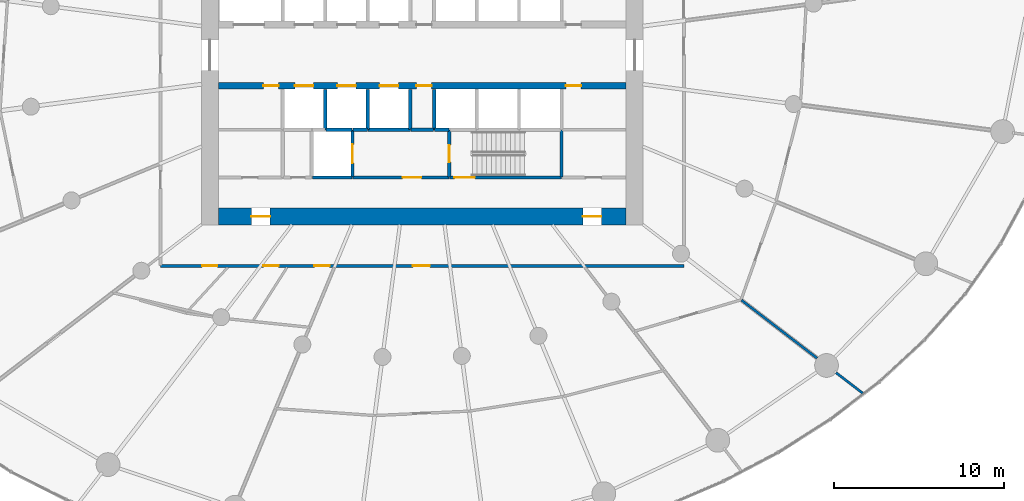
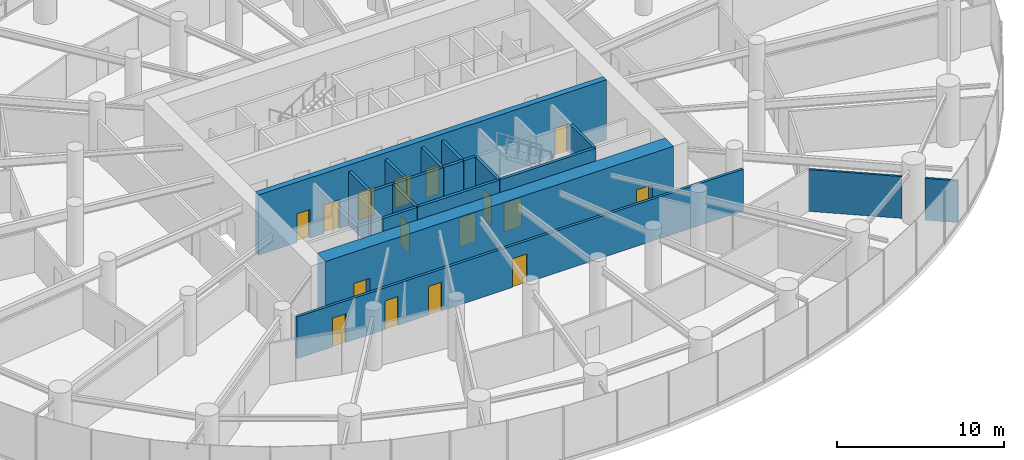
# One storey, part 13 of 19: 20 walls, 16 doors, 16 openings.
"""IFC4 building model written with IfcOpenShell, lengths in metres."""

from ifc_helpers import new_model, si_unit, direction, frame, frame_2d, origin, place, context, subcontext, project, spatial, rectangle, extrude, source, transform, mapped, material, layer, layer_set, type_object, element, fill, save


model = new_model("IFC4")

# Units and contexts
model_context = context("Model", 3, precision=1e-05, world=origin(), true_north=direction((0.0, 1.0)))
body_context = subcontext(model_context, "Body", "Model", "MODEL_VIEW")
ifc_project = project(units=[si_unit("LENGTHUNIT", "METRE"), si_unit("AREAUNIT", "SQUARE_METRE"), si_unit("VOLUMEUNIT", "CUBIC_METRE"), si_unit("PLANEANGLEUNIT", "RADIAN"), si_unit("MASSUNIT", "GRAM", prefix="KILO")], contexts=[model_context])

# Site, building, storey
site_placement = place(None, origin())
site = spatial("IfcSite", under=ifc_project, at=site_placement, CompositionType="ELEMENT")
building_placement = place(site_placement, origin())
building = spatial("IfcBuilding", under=site, at=building_placement, Name="Spindrift Exchange Tower", CompositionType="ELEMENT")
storey_placement = place(building_placement, frame((0.0, 0.0, 53.39990234375)))
storey = spatial("IfcBuildingStorey", under=building, at=storey_placement, Name="L12", CompositionType="ELEMENT", Elevation=53.39990234375)

# Wall, openings, doors
ifc_material_1 = material(Name="Concrete 80 MPa", Category="concrete")
ifc_layer_1 = layer(ifc_material_1, 1.0)
ifc_layer_set_1 = layer_set([ifc_layer_1], Name="RC Core Wall 1000 Concrete 80 MPa")
wall_type_1 = type_object("IfcWallType", Name="RC Core Wall 1000 Concrete 80 MPa", PredefinedType="SHEAR", material=ifc_layer_set_1)
wall_1_placement = place(storey_placement, frame((40.0, 38.5, 0.0), z_axis=(0.0, 0.0, 1.0), x_axis=(1.0, 0.0, 0.0)))
wall_1 = element("IfcWall", 1, at=wall_1_placement, inside=storey, type_object=wall_type_1, Name="Core wall S L12", PredefinedType="SHEAR", context=body_context, shape_type="SweptSolid", body=[
    extrude(rectangle(XDim=24.0, YDim=1.0, at=frame_2d((12.0, 0.0))), origin(), (0.0, 0.0, 1.0), 4.400146484375),
])
opening_1_placement = place(wall_1_placement, frame((21.449951171875, 0.0, 0.0)))
opening_1 = element("IfcOpeningElement", 2, at=opening_1_placement, cuts=wall_1, Name="Opening L12-D22", PredefinedType="OPENING", context=body_context, shape_type="SweptSolid", body=[
    extrude(rectangle(XDim=1.10009765625, YDim=2.10009765625, at=frame_2d((0.550048828125, 1.050048828125))), frame((0.0, 0.510009765625, 0.0), z_axis=(0.0, -1.0, 0.0), x_axis=(1.0, 0.0, 0.0)), (0.0, 0.0, 1.0), 1.02001953125),
])
opening_2_placement = place(wall_1_placement, frame((1.949951171875, 0.0, 0.0)))
opening_2 = element("IfcOpeningElement", 3, at=opening_2_placement, cuts=wall_1, Name="Opening L12-D23", PredefinedType="OPENING", context=body_context, shape_type="SweptSolid", body=[
    extrude(rectangle(XDim=1.10009765625, YDim=2.10009765625, at=frame_2d((0.550048828125, 1.050048828125))), frame((0.0, 0.510009765625, 0.0), z_axis=(0.0, -1.0, 0.0), x_axis=(1.0, 0.0, 0.0)), (0.0, 0.0, 1.0), 1.02001953125),
])
ifc_material_2 = material(Name="Steel fire door", Category="steel")
door_type_1 = type_object("IfcDoorType", Name="DR-STAIR-1100", OperationType="NOTDEFINED", PredefinedType="DOOR", material=ifc_material_2)
shared_shape_1 = source(origin(), body_context, "Body", "SweptSolid", [
    extrude(rectangle(XDim=1.10009765625, YDim=2.10009765625, at=frame_2d((0.550048828125, 1.050048828125))), frame((0.0, 0.02490234375, 0.0), z_axis=(0.0, -1.0, 0.0), x_axis=(1.0, 0.0, 0.0)), (0.0, 0.0, 1.0), 0.050048828125),
])
door_1_placement = place(opening_1_placement, origin())
door_1 = element("IfcDoor", 4, at=door_1_placement, inside=storey, type_object=door_type_1, Name="L12 Stair door 22", OperationType="SINGLE_SWING_LEFT", OverallHeight=2.10009765625, OverallWidth=1.10009765625, PredefinedType="DOOR", context=body_context, shape_type="MappedRepresentation", body=[
    mapped(shared_shape_1, transform((0.0, 0.0, 0.0), scale=1.0)),
])
fill(opening_1, door_1)
door_2_placement = place(opening_2_placement, origin())
door_2 = element("IfcDoor", 5, at=door_2_placement, inside=storey, type_object=door_type_1, Name="L12 Stair door 23", OperationType="SINGLE_SWING_RIGHT", OverallHeight=2.10009765625, OverallWidth=1.10009765625, PredefinedType="DOOR", context=body_context, shape_type="MappedRepresentation", body=[
    mapped(shared_shape_1, transform((0.0, 0.0, 0.0), scale=1.0)),
])
fill(opening_2, door_2)

ifc_layer_2 = layer(ifc_material_1, 0.39990234375)
ifc_layer_set_2 = layer_set([ifc_layer_2], Name="RC Spine Wall 400 Concrete 80 MPa")
wall_type_2 = type_object("IfcWallType", Name="RC Spine Wall 400 Concrete 80 MPa", PredefinedType="SHEAR", material=ifc_layer_set_2)
wall_2_placement = place(storey_placement, frame((40.0, 46.199951171875, 0.0), z_axis=(0.0, 0.0, 1.0), x_axis=(1.0, 0.0, 0.0)))
wall_2 = element("IfcWall", 6, at=wall_2_placement, inside=storey, type_object=wall_type_2, Name="Core spine wall S L12", PredefinedType="SHEAR", context=body_context, shape_type="SweptSolid", body=[
    extrude(rectangle(XDim=24.0, YDim=0.39990234375, at=frame_2d((12.0, 0.0))), origin(), (0.0, 0.0, 1.0), 4.400146484375),
])
opening_3_placement = place(wall_2_placement, frame((4.5, 0.0, 0.0)))
opening_3 = element("IfcOpeningElement", 7, at=opening_3_placement, cuts=wall_2, Name="Opening L12-D6", PredefinedType="OPENING", context=body_context, shape_type="SweptSolid", body=[
    extrude(rectangle(XDim=1.10009765625, YDim=2.10009765625, at=frame_2d((0.550048828125, 1.050048828125))), frame((0.0, 0.2099609375, 0.0), z_axis=(0.0, -1.0, 0.0), x_axis=(1.0, 0.0, 0.0)), (0.0, 0.0, 1.0), 0.419921875),
])
opening_4_placement = place(wall_2_placement, frame((7.0, 0.0, 0.0)))
opening_4 = element("IfcOpeningElement", 8, at=opening_4_placement, cuts=wall_2, Name="Opening L12-D7", PredefinedType="OPENING", context=body_context, shape_type="SweptSolid", body=[
    extrude(rectangle(XDim=1.10009765625, YDim=2.10009765625, at=frame_2d((0.550048828125, 1.050048828125))), frame((0.0, 0.2099609375, 0.0), z_axis=(0.0, -1.0, 0.0), x_axis=(1.0, 0.0, 0.0)), (0.0, 0.0, 1.0), 0.419921875),
])
opening_5_placement = place(wall_2_placement, frame((9.5, 0.0, 0.0)))
opening_5 = element("IfcOpeningElement", 9, at=opening_5_placement, cuts=wall_2, Name="Opening L12-D8", PredefinedType="OPENING", context=body_context, shape_type="SweptSolid", body=[
    extrude(rectangle(XDim=1.10009765625, YDim=2.10009765625, at=frame_2d((0.550048828125, 1.050048828125))), frame((0.0, 0.2099609375, 0.0), z_axis=(0.0, -1.0, 0.0), x_axis=(1.0, 0.0, 0.0)), (0.0, 0.0, 1.0), 0.419921875),
])
opening_6_placement = place(wall_2_placement, frame((20.449951171875, 0.0, 0.0)))
opening_6 = element("IfcOpeningElement", 10, at=opening_6_placement, cuts=wall_2, Name="Opening L12-D49", PredefinedType="OPENING", context=body_context, shape_type="SweptSolid", body=[
    extrude(rectangle(XDim=0.89990234375, YDim=2.10009765625, at=frame_2d((0.449951171875, 1.050048828125))), frame((0.0, 0.2099609375, 0.0), z_axis=(0.0, -1.0, 0.0), x_axis=(1.0, 0.0, 0.0)), (0.0, 0.0, 1.0), 0.419921875),
])
opening_7_placement = place(wall_2_placement, frame((2.64990234375, 0.0, 0.0)))
opening_7 = element("IfcOpeningElement", 11, at=opening_7_placement, cuts=wall_2, Name="Opening L12-D54", PredefinedType="OPENING", context=body_context, shape_type="SweptSolid", body=[
    extrude(rectangle(XDim=0.89990234375, YDim=2.10009765625, at=frame_2d((0.449951171875, 1.050048828125))), frame((0.0, 0.2099609375, 0.0), z_axis=(0.0, -1.0, 0.0), x_axis=(1.0, 0.0, 0.0)), (0.0, 0.0, 1.0), 0.419921875),
])
opening_8_placement = place(wall_2_placement, frame((11.64990234375, 0.0, 0.0)))
opening_8 = element("IfcOpeningElement", 12, at=opening_8_placement, cuts=wall_2, Name="Opening L12-D56", PredefinedType="OPENING", context=body_context, shape_type="SweptSolid", body=[
    extrude(rectangle(XDim=0.89990234375, YDim=2.10009765625, at=frame_2d((0.449951171875, 1.050048828125))), frame((0.0, 0.2099609375, 0.0), z_axis=(0.0, -1.0, 0.0), x_axis=(1.0, 0.0, 0.0)), (0.0, 0.0, 1.0), 0.419921875),
])
ifc_material_3 = material(Name="Stainless steel landing door", Category="steel")
door_type_2 = type_object("IfcDoorType", Name="DR-LANDING-1100-SL", OperationType="DOUBLE_DOOR_SLIDING", PredefinedType="USERDEFINED", material=ifc_material_3)
shared_shape_2 = source(origin(), body_context, "Body", "SweptSolid", [
    extrude(rectangle(XDim=1.10009765625, YDim=2.10009765625, at=frame_2d((0.550048828125, 1.050048828125))), frame((0.0, 0.02490234375, 0.0), z_axis=(0.0, -1.0, 0.0), x_axis=(1.0, 0.0, 0.0)), (0.0, 0.0, 1.0), 0.050048828125),
])
door_3_placement = place(opening_3_placement, origin())
door_3 = element("IfcDoor", 13, at=door_3_placement, inside=storey, type_object=door_type_2, Name="L12 Lift landing door 6", ObjectType="LANDING DOOR", OperationType="DOUBLE_DOOR_SLIDING", OverallHeight=2.10009765625, OverallWidth=1.10009765625, PredefinedType="USERDEFINED", context=body_context, shape_type="MappedRepresentation", body=[
    mapped(shared_shape_2, transform((0.0, 0.0, 0.0), scale=1.0)),
])
fill(opening_3, door_3)
door_4_placement = place(opening_4_placement, origin())
door_4 = element("IfcDoor", 14, at=door_4_placement, inside=storey, type_object=door_type_2, Name="L12 Lift landing door 7", ObjectType="LANDING DOOR", OperationType="DOUBLE_DOOR_SLIDING", OverallHeight=2.10009765625, OverallWidth=1.10009765625, PredefinedType="USERDEFINED", context=body_context, shape_type="MappedRepresentation", body=[
    mapped(shared_shape_2, transform((0.0, 0.0, 0.0), scale=1.0)),
])
fill(opening_4, door_4)
door_5_placement = place(opening_5_placement, origin())
door_5 = element("IfcDoor", 15, at=door_5_placement, inside=storey, type_object=door_type_2, Name="L12 Lift landing door 8", ObjectType="LANDING DOOR", OperationType="DOUBLE_DOOR_SLIDING", OverallHeight=2.10009765625, OverallWidth=1.10009765625, PredefinedType="USERDEFINED", context=body_context, shape_type="MappedRepresentation", body=[
    mapped(shared_shape_2, transform((0.0, 0.0, 0.0), scale=1.0)),
])
fill(opening_5, door_5)
ifc_material_4 = material(Name="Steel access door", Category="steel")
door_type_3 = type_object("IfcDoorType", Name="DR-RISER-900", OperationType="NOTDEFINED", PredefinedType="DOOR", material=ifc_material_4)
shared_shape_3 = source(origin(), body_context, "Body", "SweptSolid", [
    extrude(rectangle(XDim=0.89990234375, YDim=2.10009765625, at=frame_2d((0.449951171875, 1.050048828125))), frame((0.0, 0.02490234375, 0.0), z_axis=(0.0, -1.0, 0.0), x_axis=(1.0, 0.0, 0.0)), (0.0, 0.0, 1.0), 0.050048828125),
])
door_6_placement = place(opening_6_placement, origin())
door_6 = element("IfcDoor", 16, at=door_6_placement, inside=storey, type_object=door_type_3, Name="L12 Riser door 49", OperationType="SINGLE_SWING_RIGHT", OverallHeight=2.10009765625, OverallWidth=0.89990234375, PredefinedType="DOOR", context=body_context, shape_type="MappedRepresentation", body=[
    mapped(shared_shape_3, transform((0.0, 0.0, 0.0), scale=1.0)),
])
fill(opening_6, door_6)
door_7_placement = place(opening_7_placement, origin())
door_7 = element("IfcDoor", 17, at=door_7_placement, inside=storey, type_object=door_type_3, Name="L12 Riser door 54", OperationType="SINGLE_SWING_LEFT", OverallHeight=2.10009765625, OverallWidth=0.89990234375, PredefinedType="DOOR", context=body_context, shape_type="MappedRepresentation", body=[
    mapped(shared_shape_3, transform((0.0, 0.0, 0.0), scale=1.0)),
])
fill(opening_7, door_7)
door_8_placement = place(opening_8_placement, origin())
door_8 = element("IfcDoor", 18, at=door_8_placement, inside=storey, type_object=door_type_3, Name="L12 Riser door 56", OperationType="SINGLE_SWING_LEFT", OverallHeight=2.10009765625, OverallWidth=0.89990234375, PredefinedType="DOOR", context=body_context, shape_type="MappedRepresentation", body=[
    mapped(shared_shape_3, transform((0.0, 0.0, 0.0), scale=1.0)),
])
fill(opening_8, door_8)

ifc_material_5 = material(Name="Fire-rated plasterboard partition", Category="gypsum")
ifc_layer_3 = layer(ifc_material_5, 0.179931640625)
ifc_layer_set_3 = layer_set([ifc_layer_3], Name="W-CORR-180")
wall_type_3 = type_object("IfcWallType", Name="W-CORR-180", PredefinedType="PARTITIONING", material=ifc_layer_set_3)
wall_3_placement = place(storey_placement, frame((67.39990234375, 35.60009765625, 0.0), z_axis=(0.0, 0.0, 1.0), x_axis=(-1.0, 0.0, 0.0)))
wall_3 = element("IfcWall", 19, at=wall_3_placement, inside=storey, type_object=wall_type_3, Name="L12 Partition wall 57", PredefinedType="PARTITIONING", context=body_context, shape_type="SweptSolid", body=[
    extrude(rectangle(XDim=30.7998046875, YDim=0.179931640625, at=frame_2d((15.39990234375, 0.0))), origin(), (0.0, 0.0, 1.0), 3.050048828125),
])
opening_9_placement = place(wall_3_placement, frame((27.449951171875, 0.0, 0.0)))
opening_9 = element("IfcOpeningElement", 20, at=opening_9_placement, cuts=wall_3, Name="Opening L12-D24", PredefinedType="OPENING", context=body_context, shape_type="SweptSolid", body=[
    extrude(rectangle(XDim=0.89990234375, YDim=2.10009765625, at=frame_2d((0.449951171875, 1.050048828125))), frame((0.0, 0.099853515625, 0.0), z_axis=(0.0, -1.0, 0.0), x_axis=(1.0, 0.0, 0.0)), (0.0, 0.0, 1.0), 0.199951171875),
])
opening_10_placement = place(wall_3_placement, frame((23.85009765625, 0.0, 0.0)))
opening_10 = element("IfcOpeningElement", 21, at=opening_10_placement, cuts=wall_3, Name="Opening L12-D25", PredefinedType="OPENING", context=body_context, shape_type="SweptSolid", body=[
    extrude(rectangle(XDim=0.89990234375, YDim=2.10009765625, at=frame_2d((0.449951171875, 1.050048828125))), frame((0.0, 0.099853515625, 0.0), z_axis=(0.0, -1.0, 0.0), x_axis=(1.0, 0.0, 0.0)), (0.0, 0.0, 1.0), 0.199951171875),
])
opening_11_placement = place(wall_3_placement, frame((20.85009765625, 0.0, 0.0)))
opening_11 = element("IfcOpeningElement", 22, at=opening_11_placement, cuts=wall_3, Name="Opening L12-D26", PredefinedType="OPENING", context=body_context, shape_type="SweptSolid", body=[
    extrude(rectangle(XDim=0.89990234375, YDim=2.10009765625, at=frame_2d((0.449951171875, 1.050048828125))), frame((0.0, 0.099853515625, 0.0), z_axis=(0.0, -1.0, 0.0), x_axis=(1.0, 0.0, 0.0)), (0.0, 0.0, 1.0), 0.199951171875),
])
opening_12_placement = place(wall_3_placement, frame((14.949951171875, 0.0, 0.0)))
opening_12 = element("IfcOpeningElement", 23, at=opening_12_placement, cuts=wall_3, Name="Opening L12-D27", PredefinedType="OPENING", context=body_context, shape_type="SweptSolid", body=[
    extrude(rectangle(XDim=1.0, YDim=2.10009765625, at=frame_2d((0.5, 1.050048828125))), frame((0.0, 0.099853515625, 0.0), z_axis=(0.0, -1.0, 0.0), x_axis=(1.0, 0.0, 0.0)), (0.0, 0.0, 1.0), 0.199951171875),
])
ifc_material_6 = material(Name="Timber-core fire door", Category="wood")
door_type_4 = type_object("IfcDoorType", Name="DR-ROOM-1000", OperationType="NOTDEFINED", PredefinedType="DOOR", material=ifc_material_6)
shared_shape_4 = source(origin(), body_context, "Body", "SweptSolid", [
    extrude(rectangle(XDim=1.0, YDim=2.10009765625, at=frame_2d((0.5, 1.050048828125))), frame((0.0, 0.02490234375, 0.0), z_axis=(0.0, -1.0, 0.0), x_axis=(1.0, 0.0, 0.0)), (0.0, 0.0, 1.0), 0.050048828125),
])
door_9_placement = place(opening_12_placement, origin())
door_9 = element("IfcDoor", 24, at=door_9_placement, inside=storey, type_object=door_type_4, Name="L12 Door 27", OperationType="SINGLE_SWING_RIGHT", OverallHeight=2.10009765625, OverallWidth=1.0, PredefinedType="DOOR", context=body_context, shape_type="MappedRepresentation", body=[
    mapped(shared_shape_4, transform((0.0, 0.0, 0.0), scale=1.0)),
])
fill(opening_12, door_9)
ifc_material_7 = material(Name="Laminate washroom door", Category="wood")
door_type_5 = type_object("IfcDoorType", Name="DR-WC-900", OperationType="NOTDEFINED", PredefinedType="DOOR", material=ifc_material_7)
shared_shape_5 = source(origin(), body_context, "Body", "SweptSolid", [
    extrude(rectangle(XDim=0.89990234375, YDim=2.10009765625, at=frame_2d((0.449951171875, 1.050048828125))), frame((0.0, 0.02490234375, 0.0), z_axis=(0.0, -1.0, 0.0), x_axis=(1.0, 0.0, 0.0)), (0.0, 0.0, 1.0), 0.050048828125),
])
door_10_placement = place(opening_9_placement, origin())
door_10 = element("IfcDoor", 25, at=door_10_placement, inside=storey, type_object=door_type_5, Name="L12 WC door 24", OperationType="SINGLE_SWING_LEFT", OverallHeight=2.10009765625, OverallWidth=0.89990234375, PredefinedType="DOOR", context=body_context, shape_type="MappedRepresentation", body=[
    mapped(shared_shape_5, transform((0.0, 0.0, 0.0), scale=1.0)),
])
fill(opening_9, door_10)
door_11_placement = place(opening_10_placement, origin())
door_11 = element("IfcDoor", 26, at=door_11_placement, inside=storey, type_object=door_type_5, Name="L12 WC door 25", OperationType="SINGLE_SWING_RIGHT", OverallHeight=2.10009765625, OverallWidth=0.89990234375, PredefinedType="DOOR", context=body_context, shape_type="MappedRepresentation", body=[
    mapped(shared_shape_5, transform((0.0, 0.0, 0.0), scale=1.0)),
])
fill(opening_10, door_11)
door_12_placement = place(opening_11_placement, origin())
door_12 = element("IfcDoor", 27, at=door_12_placement, inside=storey, type_object=door_type_5, Name="L12 WC door 26", OperationType="SINGLE_SWING_LEFT", OverallHeight=2.10009765625, OverallWidth=0.89990234375, PredefinedType="DOOR", context=body_context, shape_type="MappedRepresentation", body=[
    mapped(shared_shape_5, transform((0.0, 0.0, 0.0), scale=1.0)),
])
fill(opening_11, door_12)

# Walls
ifc_layer_4 = layer(ifc_material_5, 0.139892578125)
ifc_layer_set_4 = layer_set([ifc_layer_4], Name="W-PART-140")
wall_type_4 = type_object("IfcWallType", Name="W-PART-140", PredefinedType="PARTITIONING", material=ifc_layer_set_4)
wall_4_placement = place(storey_placement, frame((70.792724609375, 33.579833984375, 0.0), z_axis=(0.0, 0.0, 1.0), x_axis=(0.793369467151, -0.6087404115, 0.0)))
element("IfcWall", 28, at=wall_4_placement, inside=storey, type_object=wall_type_4, Name="L12 Partition wall 88", PredefinedType="PARTITIONING", context=body_context, shape_type="SweptSolid", body=[
    extrude(rectangle(XDim=5.60791015625, YDim=0.139892578125, at=frame_2d((2.803955078125, 0.0))), origin(), (0.0, 0.0, 1.0), 3.050048828125),
])
wall_5_placement = place(storey_placement, frame((76.359375, 29.30859375, 0.0), z_axis=(0.0, 0.0, 1.0), x_axis=(0.793312100237, -0.608815170325, 0.0)))
element("IfcWall", 29, at=wall_5_placement, inside=storey, type_object=wall_type_4, Name="L12 Partition wall 120", PredefinedType="PARTITIONING", context=body_context, shape_type="SweptSolid", body=[
    extrude(rectangle(XDim=1.97705078125, YDim=0.139892578125, at=frame_2d((0.988525390625, 0.0))), origin(), (0.0, 0.0, 1.0), 3.050048828125),
])

# Wall, opening, door
ifc_material_8 = material(Name="Concrete 40 MPa", Category="concrete")
ifc_layer_5 = layer(ifc_material_8, 0.199951171875)
ifc_layer_set_5 = layer_set([ifc_layer_5], Name="W-SHAFT-200")
wall_type_5 = type_object("IfcWallType", Name="W-SHAFT-200", PredefinedType="SOLIDWALL", material=ifc_layer_set_5)
wall_6_placement = place(storey_placement, frame((47.89990234375, 40.830078125, 0.0), z_axis=(0.0, 0.0, 1.0), x_axis=(0.0, 1.0, 0.0)))
wall_6 = element("IfcWall", 30, at=wall_6_placement, inside=storey, type_object=wall_type_5, Name="L12 Shaft wall 8", PredefinedType="SOLIDWALL", context=body_context, shape_type="SweptSolid", body=[
    extrude(rectangle(XDim=2.77001953125, YDim=0.199951171875, at=frame_2d((1.385009765625, 0.0))), origin(), (0.0, 0.0, 1.0), 3.9501953125),
])
opening_13_placement = place(wall_6_placement, frame((0.820068359375, 0.0, 0.0)))
opening_13 = element("IfcOpeningElement", 31, at=opening_13_placement, cuts=wall_6, Name="Opening L12-D10", PredefinedType="OPENING", context=body_context, shape_type="SweptSolid", body=[
    extrude(rectangle(XDim=1.10009765625, YDim=2.10009765625, at=frame_2d((0.550048828125, 1.050048828125))), frame((0.0, 0.10986328125, 0.0), z_axis=(0.0, -1.0, 0.0), x_axis=(1.0, 0.0, 0.0)), (0.0, 0.0, 1.0), 0.219970703125),
])
door_13_placement = place(opening_13_placement, origin())
door_13 = element("IfcDoor", 32, at=door_13_placement, inside=storey, type_object=door_type_2, Name="L12 Lift landing door 10", ObjectType="LANDING DOOR", OperationType="DOUBLE_DOOR_SLIDING", OverallHeight=2.10009765625, OverallWidth=1.10009765625, PredefinedType="USERDEFINED", context=body_context, shape_type="MappedRepresentation", body=[
    mapped(shared_shape_2, transform((0.0, 0.0, 0.0), scale=1.0)),
])
fill(opening_13, door_13)

# Walls
wall_7_placement = place(storey_placement, frame((48.800048828125, 43.60009765625, 0.0), z_axis=(0.0, 0.0, 1.0), x_axis=(1.0, 0.0, 0.0)))
element("IfcWall", 33, at=wall_7_placement, inside=storey, type_object=wall_type_5, Name="L12 Shaft wall 17", PredefinedType="SOLIDWALL", context=body_context, shape_type="SweptSolid", body=[
    extrude(rectangle(XDim=2.5, YDim=0.199951171875, at=frame_2d((1.25, 0.0))), origin(), (0.0, 0.0, 1.0), 3.9501953125),
])
wall_8_placement = place(storey_placement, frame((45.530029296875, 40.800048828125, 0.0), z_axis=(0.0, 0.0, 1.0), x_axis=(1.0, 0.0, 0.0)))
element("IfcWall", 34, at=wall_8_placement, inside=storey, type_object=wall_type_5, Name="L12 Shaft wall 21", PredefinedType="SOLIDWALL", context=body_context, shape_type="SweptSolid", body=[
    extrude(rectangle(XDim=2.340087890625, YDim=0.199951171875, at=frame_2d((1.169921875, 0.0))), origin(), (0.0, 0.0, 1.0), 3.9501953125),
])
wall_9_placement = place(storey_placement, frame((46.300048828125, 43.60009765625, 0.0), z_axis=(0.0, 0.0, 1.0), x_axis=(0.0, 1.0, 0.0)))
element("IfcWall", 35, at=wall_9_placement, inside=storey, type_object=wall_type_5, Name="L12 Shaft wall 25", PredefinedType="SOLIDWALL", context=body_context, shape_type="SweptSolid", body=[
    extrude(rectangle(XDim=2.389892578125, YDim=0.199951171875, at=frame_2d((1.19482421875, 0.0))), origin(), (0.0, 0.0, 1.0), 3.9501953125),
])
for number, where, z_axis, x_axis, name in (
    (36, (48.800048828125, 43.6298828125, 0.0), (0.0, 0.0, 1.0), (0.0, 1.0, 0.0), "L12 Shaft wall 27"),
    (37, (51.300048828125, 43.6298828125, 0.0), (0.0, 0.0, 1.0), (0.0, 1.0, 0.0), "L12 Shaft wall 29"),
):
    element("IfcWall", number, at=place(storey_placement, frame(where, z_axis=z_axis, x_axis=x_axis)), inside=storey, type_object=wall_type_5, Name=name, PredefinedType="SOLIDWALL", context=body_context, shape_type="SweptSolid", body=[
        extrude(rectangle(XDim=2.360107421875, YDim=0.199951171875, at=frame_2d((1.18017578125, 0.0))), origin(), (0.0, 0.0, 1.0), 3.9501953125),
    ])
wall_10_placement = place(storey_placement, frame((52.699951171875, 45.989990234375, 0.0), z_axis=(0.0, 0.0, 1.0), x_axis=(0.0, -1.0, 0.0)))
element("IfcWall", 38, at=wall_10_placement, inside=storey, type_object=wall_type_5, Name="L12 Shaft wall 31", PredefinedType="SOLIDWALL", context=body_context, shape_type="SweptSolid", body=[
    extrude(rectangle(XDim=2.389892578125, YDim=0.199951171875, at=frame_2d((1.19482421875, 0.0))), origin(), (0.0, 0.0, 1.0), 3.9501953125),
])
wall_11_placement = place(storey_placement, frame((46.330078125, 43.60009765625, 0.0), z_axis=(0.0, 0.0, 1.0), x_axis=(1.0, 0.0, 0.0)))
element("IfcWall", 39, at=wall_11_placement, inside=storey, type_object=wall_type_5, Name="L12 Shaft wall 44", PredefinedType="SOLIDWALL", context=body_context, shape_type="SweptSolid", body=[
    extrude(rectangle(XDim=1.5400390625, YDim=0.199951171875, at=frame_2d((0.77001953125, 0.0))), origin(), (0.0, 0.0, 1.0), 3.9501953125),
])
wall_12_placement = place(storey_placement, frame((52.669921875, 43.60009765625, 0.0), z_axis=(0.0, 0.0, 1.0), x_axis=(-1.0, 0.0, 0.0)))
element("IfcWall", 40, at=wall_12_placement, inside=storey, type_object=wall_type_5, Name="L12 Shaft wall 48", PredefinedType="SOLIDWALL", context=body_context, shape_type="SweptSolid", body=[
    extrude(rectangle(XDim=1.33984375, YDim=0.199951171875, at=frame_2d((0.669921875, 0.0))), origin(), (0.0, 0.0, 1.0), 3.9501953125),
])
wall_13_placement = place(storey_placement, frame((47.929931640625, 43.60009765625, 0.0), z_axis=(0.0, 0.0, 1.0), x_axis=(1.0, 0.0, 0.0)))
element("IfcWall", 41, at=wall_13_placement, inside=storey, type_object=wall_type_5, Name="L12 Shaft wall 50", PredefinedType="SOLIDWALL", context=body_context, shape_type="SweptSolid", body=[
    extrude(rectangle(XDim=0.840087890625, YDim=0.199951171875, at=frame_2d((0.419921875, 0.0))), origin(), (0.0, 0.0, 1.0), 3.9501953125),
])

# Wall, opening, door
ifc_layer_6 = layer(ifc_material_8, 0.199951171875)
ifc_layer_set_6 = layer_set([ifc_layer_6], Name="W-SHAFT-200-LB")
wall_type_6 = type_object("IfcWallType", Name="W-SHAFT-200-LB", PredefinedType="SOLIDWALL", material=ifc_layer_set_6)
wall_14_placement = place(storey_placement, frame((53.60009765625, 40.800048828125, 0.0), z_axis=(0.0, 0.0, 1.0), x_axis=(1.0, 0.0, 0.0)))
wall_14 = element("IfcWall", 42, at=wall_14_placement, inside=storey, type_object=wall_type_6, Name="L12 Shaft wall 2", PredefinedType="SOLIDWALL", context=body_context, shape_type="SweptSolid", body=[
    extrude(rectangle(XDim=6.599853515625, YDim=0.199951171875, at=frame_2d((3.2998046875, 0.0))), origin(), (0.0, 0.0, 1.0), 3.9501953125),
])
opening_14_placement = place(wall_14_placement, frame((0.300048828125, 0.0, 0.0)))
opening_14 = element("IfcOpeningElement", 43, at=opening_14_placement, cuts=wall_14, Name="Opening L12-D16", PredefinedType="OPENING", context=body_context, shape_type="SweptSolid", body=[
    extrude(rectangle(XDim=1.199951171875, YDim=2.10009765625, at=frame_2d((0.60009765625, 1.050048828125))), frame((0.0, 0.10986328125, 0.0), z_axis=(0.0, -1.0, 0.0), x_axis=(1.0, 0.0, 0.0)), (0.0, 0.0, 1.0), 0.219970703125),
])
door_type_6 = type_object("IfcDoorType", Name="DR-STAIR-1200", OperationType="NOTDEFINED", PredefinedType="DOOR", material=ifc_material_2)
shared_shape_6 = source(origin(), body_context, "Body", "SweptSolid", [
    extrude(rectangle(XDim=1.199951171875, YDim=2.10009765625, at=frame_2d((0.60009765625, 1.050048828125))), frame((0.0, 0.02490234375, 0.0), z_axis=(0.0, -1.0, 0.0), x_axis=(1.0, 0.0, 0.0)), (0.0, 0.0, 1.0), 0.050048828125),
])
door_14_placement = place(opening_14_placement, origin())
door_14 = element("IfcDoor", 44, at=door_14_placement, inside=storey, type_object=door_type_6, Name="L12 Stair door 16", OperationType="SINGLE_SWING_LEFT", OverallHeight=2.10009765625, OverallWidth=1.199951171875, PredefinedType="DOOR", context=body_context, shape_type="MappedRepresentation", body=[
    mapped(shared_shape_6, transform((0.0, 0.0, 0.0), scale=1.0)),
])
fill(opening_14, door_14)

wall_15_placement = place(storey_placement, frame((47.89990234375, 40.800048828125, 0.0), z_axis=(0.0, 0.0, 1.0), x_axis=(1.0, 0.0, 0.0)))
wall_15 = element("IfcWall", 45, at=wall_15_placement, inside=storey, type_object=wall_type_6, Name="L12 Shaft wall 3", PredefinedType="SOLIDWALL", context=body_context, shape_type="SweptSolid", body=[
    extrude(rectangle(XDim=5.670166015625, YDim=0.199951171875, at=frame_2d((2.8349609375, 0.0))), origin(), (0.0, 0.0, 1.0), 3.9501953125),
])
opening_15_placement = place(wall_15_placement, frame((2.949951171875, 0.0, 0.0)))
opening_15 = element("IfcOpeningElement", 46, at=opening_15_placement, cuts=wall_15, Name="Opening L12-D18", PredefinedType="OPENING", context=body_context, shape_type="SweptSolid", body=[
    extrude(rectangle(XDim=1.10009765625, YDim=2.10009765625, at=frame_2d((0.550048828125, 1.050048828125))), frame((0.0, 0.10986328125, 0.0), z_axis=(0.0, -1.0, 0.0), x_axis=(1.0, 0.0, 0.0)), (0.0, 0.0, 1.0), 0.219970703125),
])
door_type_7 = type_object("IfcDoorType", Name="DR-LOBBY-1100", OperationType="NOTDEFINED", PredefinedType="DOOR", material=ifc_material_6)
shared_shape_7 = source(origin(), body_context, "Body", "SweptSolid", [
    extrude(rectangle(XDim=1.10009765625, YDim=2.10009765625, at=frame_2d((0.550048828125, 1.050048828125))), frame((0.0, 0.02490234375, 0.0), z_axis=(0.0, -1.0, 0.0), x_axis=(1.0, 0.0, 0.0)), (0.0, 0.0, 1.0), 0.050048828125),
])
door_15_placement = place(opening_15_placement, origin())
door_15 = element("IfcDoor", 47, at=door_15_placement, inside=storey, type_object=door_type_7, Name="L12 Lobby door 18", OperationType="SINGLE_SWING_LEFT", OverallHeight=2.10009765625, OverallWidth=1.10009765625, PredefinedType="DOOR", context=body_context, shape_type="MappedRepresentation", body=[
    mapped(shared_shape_7, transform((0.0, 0.0, 0.0), scale=1.0)),
])
fill(opening_15, door_15)

# Wall
wall_16_placement = place(storey_placement, frame((60.199951171875, 40.830078125, 0.0), z_axis=(0.0, 0.0, 1.0), x_axis=(0.0, 1.0, 0.0)))
element("IfcWall", 48, at=wall_16_placement, inside=storey, type_object=wall_type_6, Name="L12 Shaft wall 10", PredefinedType="SOLIDWALL", context=body_context, shape_type="SweptSolid", body=[
    extrude(rectangle(XDim=2.77001953125, YDim=0.199951171875, at=frame_2d((1.385009765625, 0.0))), origin(), (0.0, 0.0, 1.0), 3.9501953125),
])

# Wall, opening, door
wall_17_placement = place(storey_placement, frame((53.60009765625, 43.60009765625, 0.0), z_axis=(0.0, 0.0, 1.0), x_axis=(0.0, -1.0, 0.0)))
wall_17 = element("IfcWall", 49, at=wall_17_placement, inside=storey, type_object=wall_type_6, Name="L12 Shaft wall 11", PredefinedType="SOLIDWALL", context=body_context, shape_type="SweptSolid", body=[
    extrude(rectangle(XDim=2.77001953125, YDim=0.199951171875, at=frame_2d((1.385009765625, 0.0))), origin(), (0.0, 0.0, 1.0), 3.9501953125),
])
opening_16_placement = place(wall_17_placement, frame((0.89990234375, 0.0, 0.0)))
opening_16 = element("IfcOpeningElement", 50, at=opening_16_placement, cuts=wall_17, Name="Opening L12-D17", PredefinedType="OPENING", context=body_context, shape_type="SweptSolid", body=[
    extrude(rectangle(XDim=1.0, YDim=2.10009765625, at=frame_2d((0.5, 1.050048828125))), frame((0.0, 0.10986328125, 0.0), z_axis=(0.0, -1.0, 0.0), x_axis=(1.0, 0.0, 0.0)), (0.0, 0.0, 1.0), 0.219970703125),
])
door_type_8 = type_object("IfcDoorType", Name="DR-STAIR-1000", OperationType="NOTDEFINED", PredefinedType="DOOR", material=ifc_material_2)
shared_shape_8 = source(origin(), body_context, "Body", "SweptSolid", [
    extrude(rectangle(XDim=1.0, YDim=2.10009765625, at=frame_2d((0.5, 1.050048828125))), frame((0.0, 0.02490234375, 0.0), z_axis=(0.0, -1.0, 0.0), x_axis=(1.0, 0.0, 0.0)), (0.0, 0.0, 1.0), 0.050048828125),
])
door_16_placement = place(opening_16_placement, origin())
door_16 = element("IfcDoor", 51, at=door_16_placement, inside=storey, type_object=door_type_8, Name="L12 Stair door 17", OperationType="SINGLE_SWING_RIGHT", OverallHeight=2.10009765625, OverallWidth=1.0, PredefinedType="DOOR", context=body_context, shape_type="MappedRepresentation", body=[
    mapped(shared_shape_8, transform((0.0, 0.0, 0.0), scale=1.0)),
])
fill(opening_16, door_16)

# Wall
wall_18_placement = place(storey_placement, frame((52.72998046875, 43.60009765625, 0.0), z_axis=(0.0, 0.0, 1.0), x_axis=(1.0, 0.0, 0.0)))
element("IfcWall", 52, at=wall_18_placement, inside=storey, type_object=wall_type_6, Name="L12 Shaft wall 52", PredefinedType="SOLIDWALL", context=body_context, shape_type="SweptSolid", body=[
    extrude(rectangle(XDim=0.840087890625, YDim=0.199951171875, at=frame_2d((0.419921875, 0.0))), origin(), (0.0, 0.0, 1.0), 3.9501953125),
])

save(model, "model.ifc")
